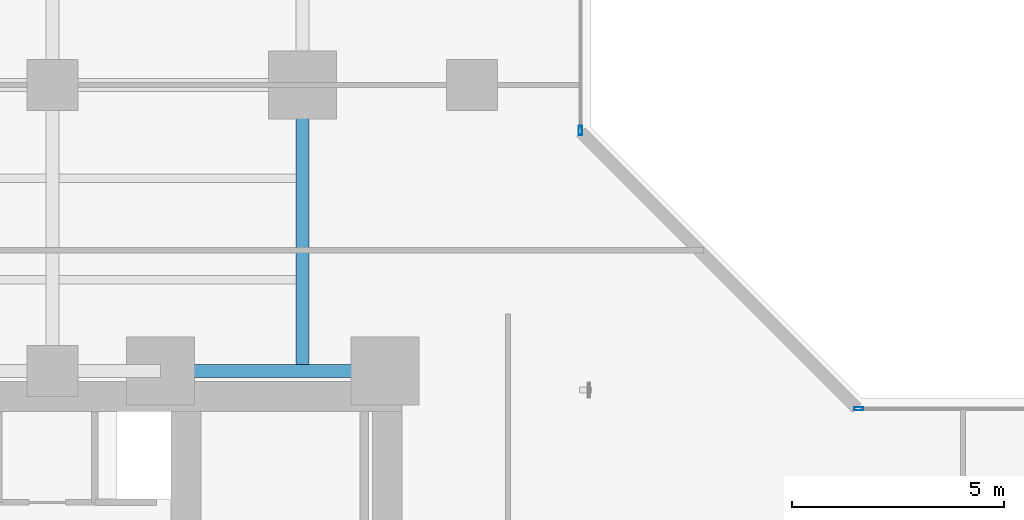
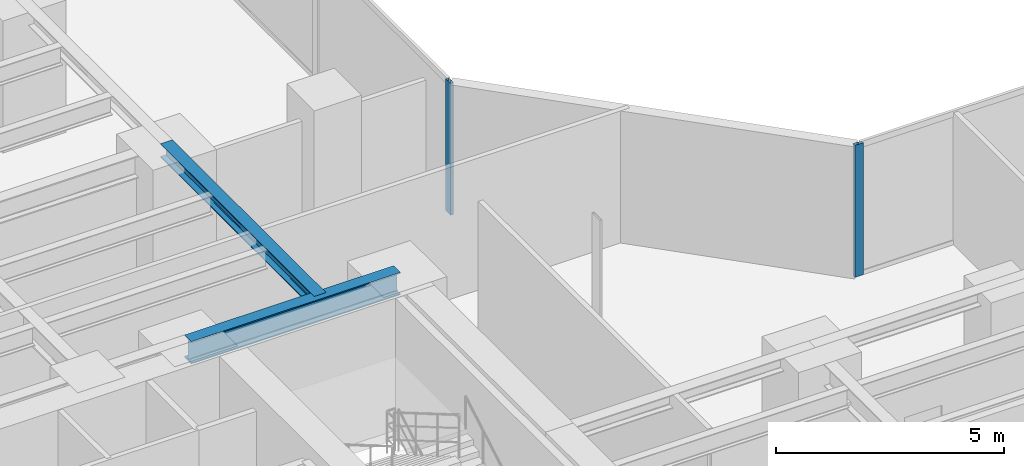
# One storey, part 8 of 30: 2 beams, 2 members, 2 elements without a shape of their own.
"""IFC4 building model written with IfcOpenShell, lengths in metres."""

from ifc_helpers import new_model, si_unit, direction, frame, origin, origin_with_axes, origin_2d, place, context, subcontext, project, spatial, hollow_rectangle, i_section, extrude, source, transform, mapped, material, layer, layer_set, material_profile, profile_set, type_object, element, aggregate, save


model = new_model("IFC4")

# Units and contexts
model_context = context("Model", 3, precision=1e-05, world=origin(), true_north=direction((0.0, 1.0)))
body_context = subcontext(model_context, "Body", "Model", "MODEL_VIEW")
ifc_project = project(units=[si_unit("LENGTHUNIT", "METRE"), si_unit("AREAUNIT", "SQUARE_METRE"), si_unit("VOLUMEUNIT", "CUBIC_METRE"), si_unit("PLANEANGLEUNIT", "RADIAN"), si_unit("MASSUNIT", "GRAM", prefix="KILO")], contexts=[model_context])

# Site, building, storey
site_placement = place(None, origin())
site = spatial("IfcSite", under=ifc_project, at=site_placement, CompositionType="ELEMENT")
building_placement = place(site_placement, origin())
building = spatial("IfcBuilding", under=site, at=building_placement, Name="Kolvaren Waterfront Exchange", CompositionType="ELEMENT")
storey_placement = place(building_placement, frame((0.0, 0.0, 71.39990234375)))
storey = spatial("IfcBuildingStorey", under=building, at=storey_placement, Name="L18", CompositionType="ELEMENT", Elevation=71.39990234375)

# Beams
ifc_material_1 = material(Name="Steel S355", Category="steel")
ifc_material_profile_1 = material_profile(ifc_material_1, i_section(OverallWidth=0.300048828125, OverallDepth=0.360107421875, WebThickness=0.012451171875, FlangeThickness=0.0224609375, FilletRadius=0.027099609375, at=origin_2d()), Name="HEB360")
ifc_profile_set_1 = profile_set([ifc_material_profile_1], Name="Steel S355")
beam_type_1 = type_object("IfcBeamType", Name="STR-BM-HEB360", PredefinedType="SPANDREL", material=ifc_profile_set_1)
beam_1_placement = place(storey_placement, frame((18.800048828125, 24.449951171875, 3.360107421875), z_axis=(0.0, 1.0, 0.0), x_axis=(-1.0, 0.0, 0.0)))
element("IfcBeam", 1, at=beam_1_placement, inside=storey, type_object=beam_type_1, Name="L18 north-arm edge beam 1", PredefinedType="SPANDREL", context=body_context, shape_type="SweptSolid", body=[
    extrude(i_section(OverallWidth=0.300048828125, OverallDepth=0.360107421875, WebThickness=0.012451171875, FlangeThickness=0.0224609375, FilletRadius=0.027099609375, at=origin_2d()), origin(), (0.0, 0.0, 1.0), 6.75),
])
ifc_material_profile_2 = material_profile(ifc_material_1, i_section(OverallWidth=0.300048828125, OverallDepth=0.60009765625, WebThickness=0.015380859375, FlangeThickness=0.030029296875, FilletRadius=0.027099609375, at=origin_2d()), Name="HEB600")
ifc_profile_set_2 = profile_set([ifc_material_profile_2], Name="Steel S355")
beam_type_2 = type_object("IfcBeamType", Name="STR-BM-HEB600", PredefinedType="BEAM", material=ifc_profile_set_2)
beam_2_placement = place(storey_placement, frame((15.449951171875, 24.449951171875, 3.239990234375), z_axis=(1.0, 0.0, 0.0), x_axis=(0.0, 1.0, 0.0)))
element("IfcBeam", 2, at=beam_2_placement, inside=storey, type_object=beam_type_2, Name="L18 north-arm girder 1C", PredefinedType="BEAM", context=body_context, shape_type="SweptSolid", body=[
    extrude(i_section(OverallWidth=0.300048828125, OverallDepth=0.60009765625, WebThickness=0.015380859375, FlangeThickness=0.030029296875, FilletRadius=0.027099609375, at=origin_2d()), origin(), (0.0, 0.0, 1.0), 5.300048828125),
])

# Curtain wall, member
ifc_material_2 = material(Name="Anodised bronze aluminium 6063-T6", Category="aluminium")
ifc_layer = layer(ifc_material_2, 0.219970703125, Name="Anodised bronze aluminium 6063-T6")
ifc_layer_set = layer_set([ifc_layer], Name="Anodised bronze aluminium 6063-T6")
curtain_wall_type = type_object("IfcCurtainWallType", Name="ARC-CW-SYS1", PredefinedType="USERDEFINED", material=ifc_layer_set)
curtain_wall_1_placement = place(storey_placement, origin())
curtain_wall_1 = element("IfcCurtainWall", 3, at=curtain_wall_1_placement, inside=storey, type_object=curtain_wall_type, Name="L18 stick curtain wall CW1 (CW-L18-NE)", ObjectType="STICK CURTAIN WALL", PredefinedType="USERDEFINED")
ifc_material_3 = material(Name="Anodised aluminium 6063-T6", Category="aluminium")
ifc_material_profile_3 = material_profile(ifc_material_3, hollow_rectangle(XDim=0.080078125, YDim=0.219970703125, WallThickness=0.0048828125, at=origin_2d()), Name="ALU-MUL-220x80x5")
ifc_profile_set_3 = profile_set([ifc_material_profile_3], Name="Anodised aluminium 6063-T6")
member_type = type_object("IfcMemberType", Name="ARC-CWM-220", PredefinedType="MULLION", material=ifc_profile_set_3)
shared_shape = source(origin_with_axes(), body_context, "Body", "SweptSolid", [
    extrude(hollow_rectangle(XDim=0.080078125, YDim=0.219970703125, WallThickness=0.0048828125, at=origin_2d()), origin(), (0.0, 0.0, 1.0), 3.5400390625),
])
member_1_placement = place(storey_placement, frame((25.360107421875, 30.1298828125, 0.0), z_axis=(0.0, 0.0, 1.0), x_axis=(-1.0, 0.0, 0.0)))
member_1 = element("IfcMember", 4, at=member_1_placement, type_object=member_type, Name="CW1 mullion 1", PredefinedType="MULLION", context=body_context, shape_type="MappedRepresentation", body=[
    mapped(shared_shape, transform((0.0, 0.0, 0.0), x_axis=(1.0, 0.0, 0.0), y_axis=(0.0, 1.0, 0.0), z_axis=(0.0, 0.0, 1.0), scale=1.0)),
])
aggregate(curtain_wall_1, [member_1])

curtain_wall_2_placement = place(storey_placement, origin())
curtain_wall_2 = element("IfcCurtainWall", 5, at=curtain_wall_2_placement, inside=storey, type_object=curtain_wall_type, Name="L18 stick curtain wall CW1 (CW-L18-EN)", ObjectType="STICK CURTAIN WALL", PredefinedType="USERDEFINED")
member_2_placement = place(storey_placement, frame((31.929931640625, 23.56005859375, 0.0), z_axis=(0.0, 0.0, 1.0), x_axis=(0.0, 1.0, 0.0)))
member_2 = element("IfcMember", 6, at=member_2_placement, type_object=member_type, Name="CW1 mullion 1", PredefinedType="MULLION", context=body_context, shape_type="MappedRepresentation", body=[
    mapped(shared_shape, transform((0.0, 0.0, 0.0), x_axis=(1.0, 0.0, 0.0), y_axis=(0.0, 1.0, 0.0), z_axis=(0.0, 0.0, 1.0), scale=1.0)),
])
aggregate(curtain_wall_2, [member_2])

save(model, "model.ifc")
